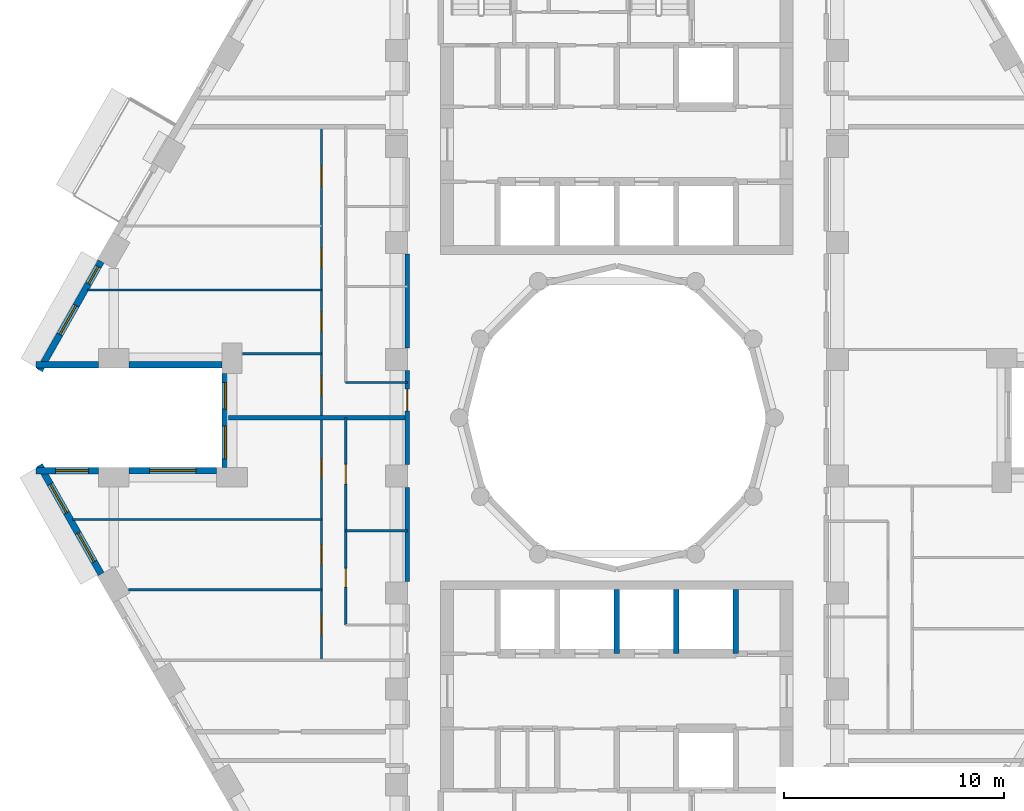
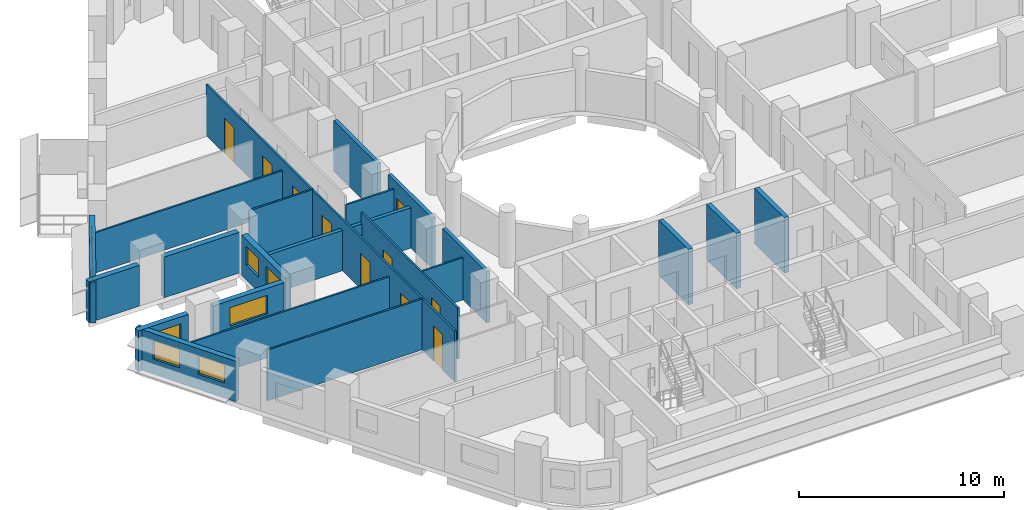
# One storey, part 4 of 14: 22 walls, 10 doors, 8 windows, 18 openings.
"""IFC4 building model written with IfcOpenShell, lengths in metres."""

from ifc_helpers import new_model, si_unit, direction, frame, frame_2d, origin, place, context, subcontext, project, spatial, rectangle, extrude, material, layer, layer_set, type_object, element, fill, save


model = new_model("IFC4")

# Units and contexts
model_context = context("Model", 3, precision=1e-05, world=origin(), true_north=direction((0.0, 1.0)))
body_context = subcontext(model_context, "Body", "Model", "MODEL_VIEW")
ifc_project = project(units=[si_unit("LENGTHUNIT", "METRE"), si_unit("AREAUNIT", "SQUARE_METRE"), si_unit("VOLUMEUNIT", "CUBIC_METRE"), si_unit("PLANEANGLEUNIT", "RADIAN"), si_unit("MASSUNIT", "GRAM", prefix="KILO")], contexts=[model_context])

# Site, building, storey
site_placement = place(None, origin())
site = spatial("IfcSite", under=ifc_project, at=site_placement, CompositionType="ELEMENT")
building_placement = place(site_placement, origin())
building = spatial("IfcBuilding", under=site, at=building_placement, Name="Nakaniwa Court", CompositionType="ELEMENT")
storey_placement = place(building_placement, frame((0.0, 0.0, 107.39990234375)))
storey = spatial("IfcBuildingStorey", under=building, at=storey_placement, Name="L28", CompositionType="ELEMENT", Elevation=107.39990234375)

# Wall
ifc_material_1 = material(Name="Acoustic double stud partition")
ifc_layer_1 = layer(ifc_material_1, 0.199951171875)
ifc_layer_set_1 = layer_set([ifc_layer_1], Name="Acoustic double stud partition")
wall_type_1 = type_object("IfcWallType", Name="Acoustic double stud partition 200", PredefinedType="PARTITIONING", material=ifc_layer_set_1)
wall_1_placement = place(storey_placement, frame((70.5, 72.56689453125, 0.0), z_axis=(0.0, 0.0, 1.0), x_axis=(0.0, 1.0, 0.0)))
element("IfcWall", 1, at=wall_1_placement, inside=storey, type_object=wall_type_1, Name="Partition PW-102", PredefinedType="PARTITIONING", context=body_context, shape_type="SweptSolid", body=[
    extrude(rectangle(XDim=4.26611328125, YDim=0.199951171875, at=frame_2d((2.133056640625, 0.0))), origin(), (0.0, 0.0, 1.0), 3.025146484375),
])

# Wall, opening, door
wall_2_placement = place(storey_placement, frame((70.5, 77.866943359375, 0.0), z_axis=(0.0, 0.0, 1.0), x_axis=(0.0, 1.0, 0.0)))
wall_2 = element("IfcWall", 2, at=wall_2_placement, inside=storey, type_object=wall_type_1, Name="Partition PW-103", PredefinedType="PARTITIONING", context=body_context, shape_type="SweptSolid", body=[
    extrude(rectangle(XDim=4.26611328125, YDim=0.199951171875, at=frame_2d((2.133056640625, 0.0))), origin(), (0.0, 0.0, 1.0), 3.025146484375),
])
opening_1_placement = place(wall_2_placement, frame((2.43310546875, 0.0, 0.0)))
opening_1 = element("IfcOpeningElement", 3, at=opening_1_placement, cuts=wall_2, Name="Opening D-01-03", PredefinedType="OPENING", context=body_context, shape_type="SweptSolid", body=[
    extrude(rectangle(XDim=1.0, YDim=2.10009765625, at=frame_2d((0.5, 1.050048828125))), frame((0.0, 0.10986328125, 0.0), z_axis=(0.0, -1.0, 0.0), x_axis=(1.0, 0.0, 0.0)), (0.0, 0.0, 1.0), 0.219970703125),
])
ifc_material_2 = material(Name="Solid core timber door set, black veneer", Category="wood")
door_type_1 = type_object("IfcDoorType", Name="Flat entrance door 1000", OperationType="NOTDEFINED", PredefinedType="DOOR", material=ifc_material_2)
door_1_placement = place(opening_1_placement, origin())
door_1 = element("IfcDoor", 4, at=door_1_placement, inside=storey, type_object=door_type_1, Name="Door D-01-03 L28-044", OperationType="SINGLE_SWING_LEFT", OverallHeight=2.10009765625, OverallWidth=1.0, PredefinedType="DOOR", context=body_context, shape_type="SweptSolid", body=[
    extrude(rectangle(XDim=1.0, YDim=2.10009765625, at=frame_2d((0.5, 1.050048828125))), frame((0.0, 0.02490234375, 0.0), z_axis=(0.0, -1.0, 0.0), x_axis=(1.0, 0.0, 0.0)), (0.0, 0.0, 1.0), 0.050048828125),
])
fill(opening_1, door_1)

# Walls
wall_3_placement = place(storey_placement, frame((70.5, 83.1669921875, 0.0), z_axis=(0.0, 0.0, 1.0), x_axis=(0.0, 1.0, 0.0)))
element("IfcWall", 5, at=wall_3_placement, inside=storey, type_object=wall_type_1, Name="Partition PW-104", PredefinedType="PARTITIONING", context=body_context, shape_type="SweptSolid", body=[
    extrude(rectangle(XDim=4.26611328125, YDim=0.199951171875, at=frame_2d((2.133056640625, 0.0))), origin(), (0.0, 0.0, 1.0), 3.025146484375),
])
wall_4_placement = place(storey_placement, frame((62.3916015625, 80.0, 0.0), z_axis=(0.0, 0.0, 1.0), x_axis=(1.0, 0.0, 0.0)))
element("IfcWall", 6, at=wall_4_placement, inside=storey, type_object=wall_type_1, Name="Partition PW-121", PredefinedType="PARTITIONING", context=body_context, shape_type="SweptSolid", body=[
    extrude(rectangle(XDim=8.1083984375, YDim=0.199951171875, at=frame_2d((4.05419921875, 0.0))), origin(), (0.0, 0.0, 1.0), 2.405029296875),
])

# Wall, openings, windows
ifc_material_3 = material(Name="Charcoal ceramic cladding")
ifc_layer_2 = layer(ifc_material_3, 0.02, Name="Ceramic cladding")
ifc_material_4 = material(Name="Ventilated air cavity")
ifc_layer_3 = layer(ifc_material_4, 0.04, ventilated=True, Name="Ventilated cavity")
ifc_material_5 = material(Name="Mineral wool insulation")
ifc_layer_4 = layer(ifc_material_5, 0.1, Name="Insulation")
ifc_material_6 = material(Name="Cement bonded sheathing board")
ifc_layer_5 = layer(ifc_material_6, 0.012, Name="Sheathing")
ifc_material_7 = material(Name="Cold-formed galvanised stud frame with mineral wool infill")
ifc_layer_6 = layer(ifc_material_7, 0.1, Name="Stud frame")
ifc_material_8 = material(Name="Fire-rated gypsum plasterboard lining")
ifc_layer_7 = layer(ifc_material_8, 0.028, Name="Lining")
ifc_layer_set_2 = layer_set([ifc_layer_2, ifc_layer_3, ifc_layer_4, ifc_layer_5, ifc_layer_6, ifc_layer_7], Name="Charcoal ceramic faced external wall system")
wall_type_2 = type_object("IfcWallType", Name="Black ceramic faced external wall 300", PredefinedType="SOLIDWALL", material=ifc_layer_set_2)
wall_5_placement = place(storey_placement, frame((56.609375, 87.09375, 0.0), z_axis=(0.0, 0.0, 1.0), x_axis=(-0.492456858874, -0.870336855561, 0.0)))
wall_5 = element("IfcWall", 7, at=wall_5_placement, inside=storey, type_object=wall_type_2, Name="L28 external wall 14", PredefinedType="SOLIDWALL", context=body_context, shape_type="SweptSolid", body=[
    extrude(rectangle(XDim=5.676513671875, YDim=0.300048828125, at=frame_2d((2.83837890625, 0.0))), origin(), (0.0, 0.0, 1.0), 2.425048828125),
])
opening_2_placement = place(wall_5_placement, frame((0.27294921875, 0.0, 0.89990234375)))
opening_2 = element("IfcOpeningElement", 8, at=opening_2_placement, cuts=wall_5, Name="Opening W9.11", PredefinedType="OPENING", context=body_context, shape_type="SweptSolid", body=[
    extrude(rectangle(XDim=0.89990234375, YDim=1.10009765625, at=frame_2d((0.449951171875, 0.550048828125))), frame((0.0, 0.159912109375, 0.0), z_axis=(0.0, -1.0, 0.0), x_axis=(1.0, 0.0, 0.0)), (0.0, 0.0, 1.0), 0.320068359375),
])
opening_3_placement = place(wall_5_placement, frame((2.310546875, 0.0, 0.89990234375)))
opening_3 = element("IfcOpeningElement", 9, at=opening_3_placement, cuts=wall_5, Name="Opening W5.12", PredefinedType="OPENING", context=body_context, shape_type="SweptSolid", body=[
    extrude(rectangle(XDim=1.5, YDim=1.10009765625, at=frame_2d((0.75, 0.550048828125))), frame((0.0, 0.159912109375, 0.0), z_axis=(0.0, -1.0, 0.0), x_axis=(1.0, 0.0, 0.0)), (0.0, 0.0, 1.0), 0.320068359375),
])
ifc_material_9 = material(Name="Black anodised aluminium frame with dark low-E laminated double glazing", Category="aluminium")
window_type_1 = type_object("IfcWindowType", Name="Dark glass window 1500x1100 sill 900", PartitioningType="SINGLE_PANEL", PredefinedType="WINDOW", material=ifc_material_9)
window_1_placement = place(opening_3_placement, origin())
window_1 = element("IfcWindow", 10, at=window_1_placement, inside=storey, type_object=window_type_1, Name="L28 bedroom window 14-1", OverallHeight=1.10009765625, OverallWidth=1.5, PartitioningType="SINGLE_PANEL", PredefinedType="WINDOW", context=body_context, shape_type="SweptSolid", body=[
    extrude(rectangle(XDim=1.5, YDim=1.10009765625, at=frame_2d((0.75, 0.550048828125))), frame((0.0, 0.030029296875, 0.0), z_axis=(0.0, -1.0, 0.0), x_axis=(1.0, 0.0, 0.0)), (0.0, 0.0, 1.0), 0.06005859375),
])
fill(opening_3, window_1)
window_type_2 = type_object("IfcWindowType", Name="Dark glass window 900x1100 sill 900", PartitioningType="SINGLE_PANEL", PredefinedType="WINDOW", material=ifc_material_9)
window_2_placement = place(opening_2_placement, origin())
window_2 = element("IfcWindow", 11, at=window_2_placement, inside=storey, type_object=window_type_2, Name="L28 bedroom window 14-0", OverallHeight=1.10009765625, OverallWidth=0.89990234375, PartitioningType="SINGLE_PANEL", PredefinedType="WINDOW", context=body_context, shape_type="SweptSolid", body=[
    extrude(rectangle(XDim=0.89990234375, YDim=1.10009765625, at=frame_2d((0.449951171875, 0.550048828125))), frame((0.0, 0.030029296875, 0.0), z_axis=(0.0, -1.0, 0.0), x_axis=(1.0, 0.0, 0.0)), (0.0, 0.0, 1.0), 0.06005859375),
])
fill(opening_2, window_2)

# Walls
wall_6_placement = place(storey_placement, frame((53.643310546875, 82.39990234375, 0.0), z_axis=(0.0, 0.0, 1.0), x_axis=(1.0, 0.0, 0.0)))
element("IfcWall", 12, at=wall_6_placement, inside=storey, type_object=wall_type_2, Name="L28 external wall 15", PredefinedType="SOLIDWALL", context=body_context, shape_type="SweptSolid", body=[
    extrude(rectangle(XDim=2.837890625, YDim=0.300048828125, at=frame_2d((1.4189453125, 0.0))), origin(), (0.0, 0.0, 1.0), 2.425048828125),
])
wall_7_placement = place(storey_placement, frame((57.873046875, 82.39990234375, 0.0), z_axis=(0.0, 0.0, 1.0), x_axis=(1.0, 0.0, 0.0)))
element("IfcWall", 13, at=wall_7_placement, inside=storey, type_object=wall_type_2, Name="L28 external wall 16", PredefinedType="SOLIDWALL", context=body_context, shape_type="SweptSolid", body=[
    extrude(rectangle(XDim=4.22265625, YDim=0.300048828125, at=frame_2d((2.111328125, 0.0))), origin(), (0.0, 0.0, 1.0), 2.425048828125),
])

# Wall, openings, windows
wall_8_placement = place(storey_placement, frame((62.24169921875, 82.00390625, 0.0), z_axis=(0.0, 0.0, 1.0), x_axis=(0.0, -1.0, 0.0)))
wall_8 = element("IfcWall", 14, at=wall_8_placement, inside=storey, type_object=wall_type_2, Name="L28 external wall 17", PredefinedType="SOLIDWALL", context=body_context, shape_type="SweptSolid", body=[
    extrude(rectangle(XDim=4.2578125, YDim=0.300048828125, at=frame_2d((2.12890625, 0.0))), origin(), (0.0, 0.0, 1.0), 2.425048828125),
])
opening_4_placement = place(wall_8_placement, frame((0.4140625, 0.0, 0.89990234375)))
opening_4 = element("IfcOpeningElement", 15, at=opening_4_placement, cuts=wall_8, Name="Opening W6.13", PredefinedType="OPENING", context=body_context, shape_type="SweptSolid", body=[
    extrude(rectangle(XDim=1.199951171875, YDim=1.10009765625, at=frame_2d((0.60009765625, 0.550048828125))), frame((0.0, 0.159912109375, 0.0), z_axis=(0.0, -1.0, 0.0), x_axis=(1.0, 0.0, 0.0)), (0.0, 0.0, 1.0), 0.320068359375),
])
opening_5_placement = place(wall_8_placement, frame((2.368896484375, 0.0, 0.89990234375)))
opening_5 = element("IfcOpeningElement", 16, at=opening_5_placement, cuts=wall_8, Name="Opening W5.14", PredefinedType="OPENING", context=body_context, shape_type="SweptSolid", body=[
    extrude(rectangle(XDim=1.5, YDim=1.10009765625, at=frame_2d((0.75, 0.550048828125))), frame((0.0, 0.159912109375, 0.0), z_axis=(0.0, -1.0, 0.0), x_axis=(1.0, 0.0, 0.0)), (0.0, 0.0, 1.0), 0.320068359375),
])
window_type_3 = type_object("IfcWindowType", Name="Dark glass window 1200x1100 sill 900", PartitioningType="SINGLE_PANEL", PredefinedType="WINDOW", material=ifc_material_9)
window_3_placement = place(opening_4_placement, origin())
window_3 = element("IfcWindow", 17, at=window_3_placement, inside=storey, type_object=window_type_3, Name="L28 bedroom window 17-0", OverallHeight=1.10009765625, OverallWidth=1.199951171875, PartitioningType="SINGLE_PANEL", PredefinedType="WINDOW", context=body_context, shape_type="SweptSolid", body=[
    extrude(rectangle(XDim=1.199951171875, YDim=1.10009765625, at=frame_2d((0.60009765625, 0.550048828125))), frame((0.0, 0.030029296875, 0.0), z_axis=(0.0, -1.0, 0.0), x_axis=(1.0, 0.0, 0.0)), (0.0, 0.0, 1.0), 0.06005859375),
])
fill(opening_4, window_3)
window_4_placement = place(opening_5_placement, origin())
window_4 = element("IfcWindow", 18, at=window_4_placement, inside=storey, type_object=window_type_1, Name="L28 living window 17-1", OverallHeight=1.10009765625, OverallWidth=1.5, PartitioningType="SINGLE_PANEL", PredefinedType="WINDOW", context=body_context, shape_type="SweptSolid", body=[
    extrude(rectangle(XDim=1.5, YDim=1.10009765625, at=frame_2d((0.75, 0.550048828125))), frame((0.0, 0.030029296875, 0.0), z_axis=(0.0, -1.0, 0.0), x_axis=(1.0, 0.0, 0.0)), (0.0, 0.0, 1.0), 0.06005859375),
])
fill(opening_5, window_4)

# Wall, opening, window
wall_9_placement = place(storey_placement, frame((61.845703125, 77.60009765625, 0.0), z_axis=(0.0, 0.0, 1.0), x_axis=(-1.0, 0.0, 0.0)))
wall_9 = element("IfcWall", 19, at=wall_9_placement, inside=storey, type_object=wall_type_2, Name="L28 external wall 18", PredefinedType="SOLIDWALL", context=body_context, shape_type="SweptSolid", body=[
    extrude(rectangle(XDim=3.97265625, YDim=0.300048828125, at=frame_2d((1.986328125, 0.0))), origin(), (0.0, 0.0, 1.0), 2.425048828125),
])
opening_6_placement = place(wall_9_placement, frame((0.936279296875, 0.0, 0.89990234375)))
opening_6 = element("IfcOpeningElement", 20, at=opening_6_placement, cuts=wall_9, Name="Opening W7.15", PredefinedType="OPENING", context=body_context, shape_type="SweptSolid", body=[
    extrude(rectangle(XDim=2.10009765625, YDim=1.10009765625, at=frame_2d((1.050048828125, 0.550048828125))), frame((0.0, 0.159912109375, 0.0), z_axis=(0.0, -1.0, 0.0), x_axis=(1.0, 0.0, 0.0)), (0.0, 0.0, 1.0), 0.320068359375),
])
window_type_4 = type_object("IfcWindowType", Name="Dark glass window 2100x1100 sill 900", PartitioningType="SINGLE_PANEL", PredefinedType="WINDOW", material=ifc_material_9)
window_5_placement = place(opening_6_placement, origin())
window_5 = element("IfcWindow", 21, at=window_5_placement, inside=storey, type_object=window_type_4, Name="L28 living window 18-0", OverallHeight=1.10009765625, OverallWidth=2.10009765625, PartitioningType="SINGLE_PANEL", PredefinedType="WINDOW", context=body_context, shape_type="SweptSolid", body=[
    extrude(rectangle(XDim=2.10009765625, YDim=1.10009765625, at=frame_2d((1.050048828125, 0.550048828125))), frame((0.0, 0.030029296875, 0.0), z_axis=(0.0, -1.0, 0.0), x_axis=(1.0, 0.0, 0.0)), (0.0, 0.0, 1.0), 0.06005859375),
])
fill(opening_6, window_5)

wall_10_placement = place(storey_placement, frame((56.481201171875, 77.60009765625, 0.0), z_axis=(0.0, 0.0, 1.0), x_axis=(-1.0, 0.0, 0.0)))
wall_10 = element("IfcWall", 22, at=wall_10_placement, inside=storey, type_object=wall_type_2, Name="L28 external wall 19", PredefinedType="SOLIDWALL", context=body_context, shape_type="SweptSolid", body=[
    extrude(rectangle(XDim=2.837890625, YDim=0.300048828125, at=frame_2d((1.4189453125, 0.0))), origin(), (0.0, 0.0, 1.0), 2.425048828125),
])
opening_7_placement = place(wall_10_placement, frame((0.44384765625, 0.0, 0.89990234375)))
opening_7 = element("IfcOpeningElement", 23, at=opening_7_placement, cuts=wall_10, Name="Opening W5.16", PredefinedType="OPENING", context=body_context, shape_type="SweptSolid", body=[
    extrude(rectangle(XDim=1.5, YDim=1.10009765625, at=frame_2d((0.75, 0.550048828125))), frame((0.0, 0.159912109375, 0.0), z_axis=(0.0, -1.0, 0.0), x_axis=(1.0, 0.0, 0.0)), (0.0, 0.0, 1.0), 0.320068359375),
])
window_6_placement = place(opening_7_placement, origin())
window_6 = element("IfcWindow", 24, at=window_6_placement, inside=storey, type_object=window_type_1, Name="L28 living window 19-0", OverallHeight=1.10009765625, OverallWidth=1.5, PartitioningType="SINGLE_PANEL", PredefinedType="WINDOW", context=body_context, shape_type="SweptSolid", body=[
    extrude(rectangle(XDim=1.5, YDim=1.10009765625, at=frame_2d((0.75, 0.550048828125))), frame((0.0, 0.030029296875, 0.0), z_axis=(0.0, -1.0, 0.0), x_axis=(1.0, 0.0, 0.0)), (0.0, 0.0, 1.0), 0.06005859375),
])
fill(opening_7, window_6)

# Wall, openings, windows
wall_11_placement = place(storey_placement, frame((53.81396484375, 77.8466796875, 0.0), z_axis=(0.0, 0.0, 1.0), x_axis=(0.492456858874, -0.870336855561, 0.0)))
wall_11 = element("IfcWall", 25, at=wall_11_placement, inside=storey, type_object=wall_type_2, Name="L28 external wall 20", PredefinedType="SOLIDWALL", context=body_context, shape_type="SweptSolid", body=[
    extrude(rectangle(XDim=5.676513671875, YDim=0.300048828125, at=frame_2d((2.83837890625, 0.0))), origin(), (0.0, 0.0, 1.0), 2.425048828125),
])
opening_8_placement = place(wall_11_placement, frame((0.987060546875, 0.0, 0.89990234375)))
opening_8 = element("IfcOpeningElement", 26, at=opening_8_placement, cuts=wall_11, Name="Opening W5.17", PredefinedType="OPENING", context=body_context, shape_type="SweptSolid", body=[
    extrude(rectangle(XDim=1.5, YDim=1.10009765625, at=frame_2d((0.75, 0.550048828125))), frame((0.0, 0.159912109375, 0.0), z_axis=(0.0, -1.0, 0.0), x_axis=(1.0, 0.0, 0.0)), (0.0, 0.0, 1.0), 0.320068359375),
])
opening_9_placement = place(wall_11_placement, frame((3.53662109375, 0.0, 0.89990234375)))
opening_9 = element("IfcOpeningElement", 27, at=opening_9_placement, cuts=wall_11, Name="Opening W5.18", PredefinedType="OPENING", context=body_context, shape_type="SweptSolid", body=[
    extrude(rectangle(XDim=1.5, YDim=1.10009765625, at=frame_2d((0.75, 0.550048828125))), frame((0.0, 0.159912109375, 0.0), z_axis=(0.0, -1.0, 0.0), x_axis=(1.0, 0.0, 0.0)), (0.0, 0.0, 1.0), 0.320068359375),
])
window_7_placement = place(opening_8_placement, origin())
window_7 = element("IfcWindow", 28, at=window_7_placement, inside=storey, type_object=window_type_1, Name="L28 living window 20-0", OverallHeight=1.10009765625, OverallWidth=1.5, PartitioningType="SINGLE_PANEL", PredefinedType="WINDOW", context=body_context, shape_type="SweptSolid", body=[
    extrude(rectangle(XDim=1.5, YDim=1.10009765625, at=frame_2d((0.75, 0.550048828125))), frame((0.0, 0.030029296875, 0.0), z_axis=(0.0, -1.0, 0.0), x_axis=(1.0, 0.0, 0.0)), (0.0, 0.0, 1.0), 0.06005859375),
])
fill(opening_8, window_7)
window_8_placement = place(opening_9_placement, origin())
window_8 = element("IfcWindow", 29, at=window_8_placement, inside=storey, type_object=window_type_1, Name="L28 bedroom window 20-1", OverallHeight=1.10009765625, OverallWidth=1.5, PartitioningType="SINGLE_PANEL", PredefinedType="WINDOW", context=body_context, shape_type="SweptSolid", body=[
    extrude(rectangle(XDim=1.5, YDim=1.10009765625, at=frame_2d((0.75, 0.550048828125))), frame((0.0, 0.030029296875, 0.0), z_axis=(0.0, -1.0, 0.0), x_axis=(1.0, 0.0, 0.0)), (0.0, 0.0, 1.0), 0.06005859375),
])
fill(opening_9, window_8)

# Walls
ifc_material_10 = material(Name="Concrete C80/100", Category="concrete")
ifc_layer_8 = layer(ifc_material_10, 0.25)
ifc_layer_set_3 = layer_set([ifc_layer_8], Name="Concrete C80/100")
wall_type_3 = type_object("IfcWallType", Name="Concrete shaft wall 250 C80", PredefinedType="SHEAR", material=ifc_layer_set_3)
for number, where, z_axis, x_axis, name in (
    (30, (80.0, 69.300048828125, -0.27490234375), (0.0, 0.0, 1.0), (0.0, 1.0, 0.0), "Core wall SW-43"),
    (31, (82.699951171875, 69.300048828125, -0.27490234375), (0.0, 0.0, 1.0), (0.0, 1.0, 0.0), "Core wall SW-45"),
    (32, (85.39990234375, 69.300048828125, -0.27490234375), (0.0, 0.0, 1.0), (0.0, 1.0, 0.0), "Core wall SW-47"),
):
    element("IfcWall", number, at=place(storey_placement, frame(where, z_axis=z_axis, x_axis=x_axis)), inside=storey, type_object=wall_type_3, Name=name, PredefinedType="SHEAR", context=body_context, shape_type="SweptSolid", body=[
        extrude(rectangle(XDim=2.89990234375, YDim=0.25, at=frame_2d((1.449951171875, 0.0))), origin(), (0.0, 0.0, 1.0), 3.300048828125),
    ])
ifc_material_11 = material(Name="Single stud plasterboard partition")
ifc_layer_9 = layer(ifc_material_11, 0.10009765625)
ifc_layer_set_4 = layer_set([ifc_layer_9], Name="Single stud plasterboard partition")
wall_type_4 = type_object("IfcWallType", Name="Single stud plasterboard partition 100", PredefinedType="PARTITIONING", material=ifc_layer_set_4)
wall_12_placement = place(storey_placement, frame((67.699951171875, 74.873046875, 0.0), z_axis=(0.0, 0.0, 1.0), x_axis=(1.0, 0.0, 0.0)))
element("IfcWall", 33, at=wall_12_placement, inside=storey, type_object=wall_type_4, Name="Partition PW-117", PredefinedType="PARTITIONING", context=body_context, shape_type="SweptSolid", body=[
    extrude(rectangle(XDim=2.800048828125, YDim=0.10009765625, at=frame_2d((1.39990234375, 0.0))), origin(), (0.0, 0.0, 1.0), 2.505126953125),
])

# Wall, openings, doors
wall_13_placement = place(storey_placement, frame((67.699951171875, 80.0, 0.0), z_axis=(0.0, 0.0, 1.0), x_axis=(0.0, -1.0, 0.0)))
wall_13 = element("IfcWall", 34, at=wall_13_placement, inside=storey, type_object=wall_type_4, Name="Partition PW-119", PredefinedType="PARTITIONING", context=body_context, shape_type="SweptSolid", body=[
    extrude(rectangle(XDim=9.39990234375, YDim=0.10009765625, at=frame_2d((4.699951171875, 0.0))), origin(), (0.0, 0.0, 1.0), 3.025146484375),
])
opening_10_placement = place(wall_13_placement, frame((6.839111328125, 0.0, 0.0)))
opening_10 = element("IfcOpeningElement", 35, at=opening_10_placement, cuts=wall_13, Name="Opening D-03-02", PredefinedType="OPENING", context=body_context, shape_type="SweptSolid", body=[
    extrude(rectangle(XDim=0.85009765625, YDim=2.10009765625, at=frame_2d((0.425048828125, 1.050048828125))), frame((0.0, 0.06005859375, 0.0), z_axis=(0.0, -1.0, 0.0), x_axis=(1.0, 0.0, 0.0)), (0.0, 0.0, 1.0), 0.1201171875),
])
opening_11_placement = place(wall_13_placement, frame((2.114013671875, 0.0, 0.0)))
opening_11 = element("IfcOpeningElement", 36, at=opening_11_placement, cuts=wall_13, Name="Opening D-33-05", PredefinedType="OPENING", context=body_context, shape_type="SweptSolid", body=[
    extrude(rectangle(XDim=0.89990234375, YDim=2.10009765625, at=frame_2d((0.449951171875, 1.050048828125))), frame((0.0, 0.06005859375, 0.0), z_axis=(0.0, -1.0, 0.0), x_axis=(1.0, 0.0, 0.0)), (0.0, 0.0, 1.0), 0.1201171875),
])
ifc_material_12 = material(Name="Moisture sealed timber door set", Category="wood")
door_type_2 = type_object("IfcDoorType", Name="Bathroom door 850", OperationType="NOTDEFINED", PredefinedType="DOOR", material=ifc_material_12)
door_2_placement = place(opening_10_placement, origin())
door_2 = element("IfcDoor", 37, at=door_2_placement, inside=storey, type_object=door_type_2, Name="Door D-03-02 L28-039", OperationType="SINGLE_SWING_RIGHT", OverallHeight=2.10009765625, OverallWidth=0.85009765625, PredefinedType="DOOR", context=body_context, shape_type="SweptSolid", body=[
    extrude(rectangle(XDim=0.85009765625, YDim=2.10009765625, at=frame_2d((0.425048828125, 1.050048828125))), frame((0.0, 0.02490234375, 0.0), z_axis=(0.0, -1.0, 0.0), x_axis=(1.0, 0.0, 0.0)), (0.0, 0.0, 1.0), 0.050048828125),
])
fill(opening_10, door_2)
door_type_3 = type_object("IfcDoorType", Name="Internal door 900", OperationType="NOTDEFINED", PredefinedType="DOOR", material=ifc_material_2)
door_3_placement = place(opening_11_placement, origin())
door_3 = element("IfcDoor", 38, at=door_3_placement, inside=storey, type_object=door_type_3, Name="Door D-33-05 L28-040", OperationType="SINGLE_SWING_LEFT", OverallHeight=2.10009765625, OverallWidth=0.89990234375, PredefinedType="DOOR", context=body_context, shape_type="SweptSolid", body=[
    extrude(rectangle(XDim=0.89990234375, YDim=2.10009765625, at=frame_2d((0.449951171875, 1.050048828125))), frame((0.0, 0.02490234375, 0.0), z_axis=(0.0, -1.0, 0.0), x_axis=(1.0, 0.0, 0.0)), (0.0, 0.0, 1.0), 0.050048828125),
])
fill(opening_11, door_3)

wall_14_placement = place(storey_placement, frame((66.60009765625, 69.0, 0.0), z_axis=(0.0, 0.0, 1.0), x_axis=(0.0, 1.0, 0.0)))
wall_14 = element("IfcWall", 39, at=wall_14_placement, inside=storey, type_object=wall_type_4, Name="Partition PW-122", PredefinedType="PARTITIONING", context=body_context, shape_type="SweptSolid", body=[
    extrude(rectangle(XDim=24.199951171875, YDim=0.10009765625, at=frame_2d((12.10009765625, 0.0))), origin(), (0.0, 0.0, 1.0), 3.025146484375),
])
opening_12_placement = place(wall_14_placement, frame((1.14697265625, 0.0, 0.0)))
opening_12 = element("IfcOpeningElement", 40, at=opening_12_placement, cuts=wall_14, Name="Opening D-33-06", PredefinedType="OPENING", context=body_context, shape_type="SweptSolid", body=[
    extrude(rectangle(XDim=0.89990234375, YDim=2.10009765625, at=frame_2d((0.449951171875, 1.050048828125))), frame((0.0, 0.06005859375, 0.0), z_axis=(0.0, -1.0, 0.0), x_axis=(1.0, 0.0, 0.0)), (0.0, 0.0, 1.0), 0.1201171875),
])
opening_13_placement = place(wall_14_placement, frame((4.340087890625, 0.0, 0.0)))
opening_13 = element("IfcOpeningElement", 41, at=opening_13_placement, cuts=wall_14, Name="Opening D-33-07", PredefinedType="OPENING", context=body_context, shape_type="SweptSolid", body=[
    extrude(rectangle(XDim=0.89990234375, YDim=2.10009765625, at=frame_2d((0.449951171875, 1.050048828125))), frame((0.0, 0.06005859375, 0.0), z_axis=(0.0, -1.0, 0.0), x_axis=(1.0, 0.0, 0.0)), (0.0, 0.0, 1.0), 0.1201171875),
])
opening_14_placement = place(wall_14_placement, frame((8.243896484375, 0.0, 0.0)))
opening_14 = element("IfcOpeningElement", 42, at=opening_14_placement, cuts=wall_14, Name="Opening D-33-08", PredefinedType="OPENING", context=body_context, shape_type="SweptSolid", body=[
    extrude(rectangle(XDim=0.89990234375, YDim=2.10009765625, at=frame_2d((0.449951171875, 1.050048828125))), frame((0.0, 0.06005859375, 0.0), z_axis=(0.0, -1.0, 0.0), x_axis=(1.0, 0.0, 0.0)), (0.0, 0.0, 1.0), 0.1201171875),
])
opening_15_placement = place(wall_14_placement, frame((11.9990234375, 0.0, 0.0)))
opening_15 = element("IfcOpeningElement", 43, at=opening_15_placement, cuts=wall_14, Name="Opening D-33-10", PredefinedType="OPENING", context=body_context, shape_type="SweptSolid", body=[
    extrude(rectangle(XDim=0.89990234375, YDim=2.10009765625, at=frame_2d((0.449951171875, 1.050048828125))), frame((0.0, 0.06005859375, 0.0), z_axis=(0.0, -1.0, 0.0), x_axis=(1.0, 0.0, 0.0)), (0.0, 0.0, 1.0), 0.1201171875),
])
opening_16_placement = place(wall_14_placement, frame((14.89599609375, 0.0, 0.0)))
opening_16 = element("IfcOpeningElement", 44, at=opening_16_placement, cuts=wall_14, Name="Opening D-33-11", PredefinedType="OPENING", context=body_context, shape_type="SweptSolid", body=[
    extrude(rectangle(XDim=0.89990234375, YDim=2.10009765625, at=frame_2d((0.449951171875, 1.050048828125))), frame((0.0, 0.06005859375, 0.0), z_axis=(0.0, -1.0, 0.0), x_axis=(1.0, 0.0, 0.0)), (0.0, 0.0, 1.0), 0.1201171875),
])
opening_17_placement = place(wall_14_placement, frame((17.7939453125, 0.0, 0.0)))
opening_17 = element("IfcOpeningElement", 45, at=opening_17_placement, cuts=wall_14, Name="Opening D-33-12", PredefinedType="OPENING", context=body_context, shape_type="SweptSolid", body=[
    extrude(rectangle(XDim=0.89990234375, YDim=2.10009765625, at=frame_2d((0.449951171875, 1.050048828125))), frame((0.0, 0.06005859375, 0.0), z_axis=(0.0, -1.0, 0.0), x_axis=(1.0, 0.0, 0.0)), (0.0, 0.0, 1.0), 0.1201171875),
])
opening_18_placement = place(wall_14_placement, frame((21.49609375, 0.0, 0.0)))
opening_18 = element("IfcOpeningElement", 46, at=opening_18_placement, cuts=wall_14, Name="Opening D-33-13", PredefinedType="OPENING", context=body_context, shape_type="SweptSolid", body=[
    extrude(rectangle(XDim=0.89990234375, YDim=2.10009765625, at=frame_2d((0.449951171875, 1.050048828125))), frame((0.0, 0.06005859375, 0.0), z_axis=(0.0, -1.0, 0.0), x_axis=(1.0, 0.0, 0.0)), (0.0, 0.0, 1.0), 0.1201171875),
])
door_4_placement = place(opening_12_placement, origin())
door_4 = element("IfcDoor", 47, at=door_4_placement, inside=storey, type_object=door_type_3, Name="Door D-33-06 L28-041", OperationType="SINGLE_SWING_RIGHT", OverallHeight=2.10009765625, OverallWidth=0.89990234375, PredefinedType="DOOR", context=body_context, shape_type="SweptSolid", body=[
    extrude(rectangle(XDim=0.89990234375, YDim=2.10009765625, at=frame_2d((0.449951171875, 1.050048828125))), frame((0.0, 0.02490234375, 0.0), z_axis=(0.0, -1.0, 0.0), x_axis=(1.0, 0.0, 0.0)), (0.0, 0.0, 1.0), 0.050048828125),
])
fill(opening_12, door_4)
door_5_placement = place(opening_13_placement, origin())
door_5 = element("IfcDoor", 48, at=door_5_placement, inside=storey, type_object=door_type_3, Name="Door D-33-07 L28-042", OperationType="SINGLE_SWING_LEFT", OverallHeight=2.10009765625, OverallWidth=0.89990234375, PredefinedType="DOOR", context=body_context, shape_type="SweptSolid", body=[
    extrude(rectangle(XDim=0.89990234375, YDim=2.10009765625, at=frame_2d((0.449951171875, 1.050048828125))), frame((0.0, 0.02490234375, 0.0), z_axis=(0.0, -1.0, 0.0), x_axis=(1.0, 0.0, 0.0)), (0.0, 0.0, 1.0), 0.050048828125),
])
fill(opening_13, door_5)
door_6_placement = place(opening_14_placement, origin())
door_6 = element("IfcDoor", 49, at=door_6_placement, inside=storey, type_object=door_type_3, Name="Door D-33-08 L28-043", OperationType="SINGLE_SWING_RIGHT", OverallHeight=2.10009765625, OverallWidth=0.89990234375, PredefinedType="DOOR", context=body_context, shape_type="SweptSolid", body=[
    extrude(rectangle(XDim=0.89990234375, YDim=2.10009765625, at=frame_2d((0.449951171875, 1.050048828125))), frame((0.0, 0.02490234375, 0.0), z_axis=(0.0, -1.0, 0.0), x_axis=(1.0, 0.0, 0.0)), (0.0, 0.0, 1.0), 0.050048828125),
])
fill(opening_14, door_6)
door_7_placement = place(opening_15_placement, origin())
door_7 = element("IfcDoor", 50, at=door_7_placement, inside=storey, type_object=door_type_3, Name="Door D-33-10 L28-048", OperationType="SINGLE_SWING_LEFT", OverallHeight=2.10009765625, OverallWidth=0.89990234375, PredefinedType="DOOR", context=body_context, shape_type="SweptSolid", body=[
    extrude(rectangle(XDim=0.89990234375, YDim=2.10009765625, at=frame_2d((0.449951171875, 1.050048828125))), frame((0.0, 0.02490234375, 0.0), z_axis=(0.0, -1.0, 0.0), x_axis=(1.0, 0.0, 0.0)), (0.0, 0.0, 1.0), 0.050048828125),
])
fill(opening_15, door_7)
door_8_placement = place(opening_16_placement, origin())
door_8 = element("IfcDoor", 51, at=door_8_placement, inside=storey, type_object=door_type_3, Name="Door D-33-11 L28-049", OperationType="SINGLE_SWING_RIGHT", OverallHeight=2.10009765625, OverallWidth=0.89990234375, PredefinedType="DOOR", context=body_context, shape_type="SweptSolid", body=[
    extrude(rectangle(XDim=0.89990234375, YDim=2.10009765625, at=frame_2d((0.449951171875, 1.050048828125))), frame((0.0, 0.02490234375, 0.0), z_axis=(0.0, -1.0, 0.0), x_axis=(1.0, 0.0, 0.0)), (0.0, 0.0, 1.0), 0.050048828125),
])
fill(opening_16, door_8)
door_9_placement = place(opening_17_placement, origin())
door_9 = element("IfcDoor", 52, at=door_9_placement, inside=storey, type_object=door_type_3, Name="Door D-33-12 L28-050", OperationType="SINGLE_SWING_LEFT", OverallHeight=2.10009765625, OverallWidth=0.89990234375, PredefinedType="DOOR", context=body_context, shape_type="SweptSolid", body=[
    extrude(rectangle(XDim=0.89990234375, YDim=2.10009765625, at=frame_2d((0.449951171875, 1.050048828125))), frame((0.0, 0.02490234375, 0.0), z_axis=(0.0, -1.0, 0.0), x_axis=(1.0, 0.0, 0.0)), (0.0, 0.0, 1.0), 0.050048828125),
])
fill(opening_17, door_9)
door_10_placement = place(opening_18_placement, origin())
door_10 = element("IfcDoor", 53, at=door_10_placement, inside=storey, type_object=door_type_3, Name="Door D-33-13 L28-051", OperationType="SINGLE_SWING_RIGHT", OverallHeight=2.10009765625, OverallWidth=0.89990234375, PredefinedType="DOOR", context=body_context, shape_type="SweptSolid", body=[
    extrude(rectangle(XDim=0.89990234375, YDim=2.10009765625, at=frame_2d((0.449951171875, 1.050048828125))), frame((0.0, 0.02490234375, 0.0), z_axis=(0.0, -1.0, 0.0), x_axis=(1.0, 0.0, 0.0)), (0.0, 0.0, 1.0), 0.050048828125),
])
fill(opening_18, door_10)

# Walls
wall_15_placement = place(storey_placement, frame((57.8564453125, 72.194091796875, 0.0), z_axis=(0.0, 0.0, 1.0), x_axis=(1.0, 0.0, 0.0)))
element("IfcWall", 54, at=wall_15_placement, inside=storey, type_object=wall_type_4, Name="Partition PW-124", PredefinedType="PARTITIONING", context=body_context, shape_type="SweptSolid", body=[
    extrude(rectangle(XDim=8.74365234375, YDim=0.10009765625, at=frame_2d((4.371826171875, 0.0))), origin(), (0.0, 0.0, 1.0), 3.025146484375),
])
wall_16_placement = place(storey_placement, frame((55.296875, 75.386962890625, 0.0), z_axis=(0.0, 0.0, 1.0), x_axis=(1.0, 0.0, 0.0)))
element("IfcWall", 55, at=wall_16_placement, inside=storey, type_object=wall_type_4, Name="Partition PW-125", PredefinedType="PARTITIONING", context=body_context, shape_type="SweptSolid", body=[
    extrude(rectangle(XDim=11.30322265625, YDim=0.10009765625, at=frame_2d((5.651611328125, 0.0))), origin(), (0.0, 0.0, 1.0), 2.405029296875),
])
wall_17_placement = place(storey_placement, frame((67.699951171875, 81.60009765625, 0.0), z_axis=(0.0, 0.0, 1.0), x_axis=(1.0, 0.0, 0.0)))
element("IfcWall", 56, at=wall_17_placement, inside=storey, type_object=wall_type_4, Name="Partition PW-127", PredefinedType="PARTITIONING", context=body_context, shape_type="SweptSolid", body=[
    extrude(rectangle(XDim=2.800048828125, YDim=0.10009765625, at=frame_2d((1.39990234375, 0.0))), origin(), (0.0, 0.0, 1.0), 2.505126953125),
])
wall_18_placement = place(storey_placement, frame((63.01171875, 82.89794921875, 0.0), z_axis=(0.0, 0.0, 1.0), x_axis=(1.0, 0.0, 0.0)))
element("IfcWall", 57, at=wall_18_placement, inside=storey, type_object=wall_type_4, Name="Partition PW-129", PredefinedType="PARTITIONING", context=body_context, shape_type="SweptSolid", body=[
    extrude(rectangle(XDim=3.58837890625, YDim=0.10009765625, at=frame_2d((1.794189453125, 0.0))), origin(), (0.0, 0.0, 1.0), 3.025146484375),
])
wall_19_placement = place(storey_placement, frame((55.9794921875, 85.794921875, 0.0), z_axis=(0.0, 0.0, 1.0), x_axis=(1.0, 0.0, 0.0)))
element("IfcWall", 58, at=wall_19_placement, inside=storey, type_object=wall_type_4, Name="Partition PW-130", PredefinedType="PARTITIONING", context=body_context, shape_type="SweptSolid", body=[
    extrude(rectangle(XDim=10.62060546875, YDim=0.10009765625, at=frame_2d((5.310302734375, 0.0))), origin(), (0.0, 0.0, 1.0), 2.405029296875),
])

save(model, "model.ifc")
